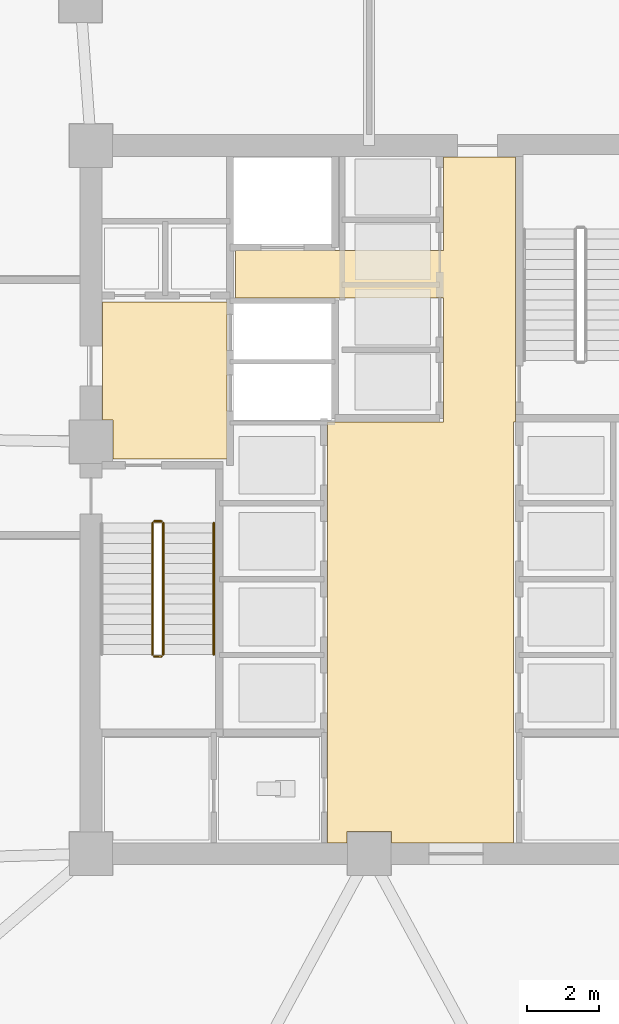
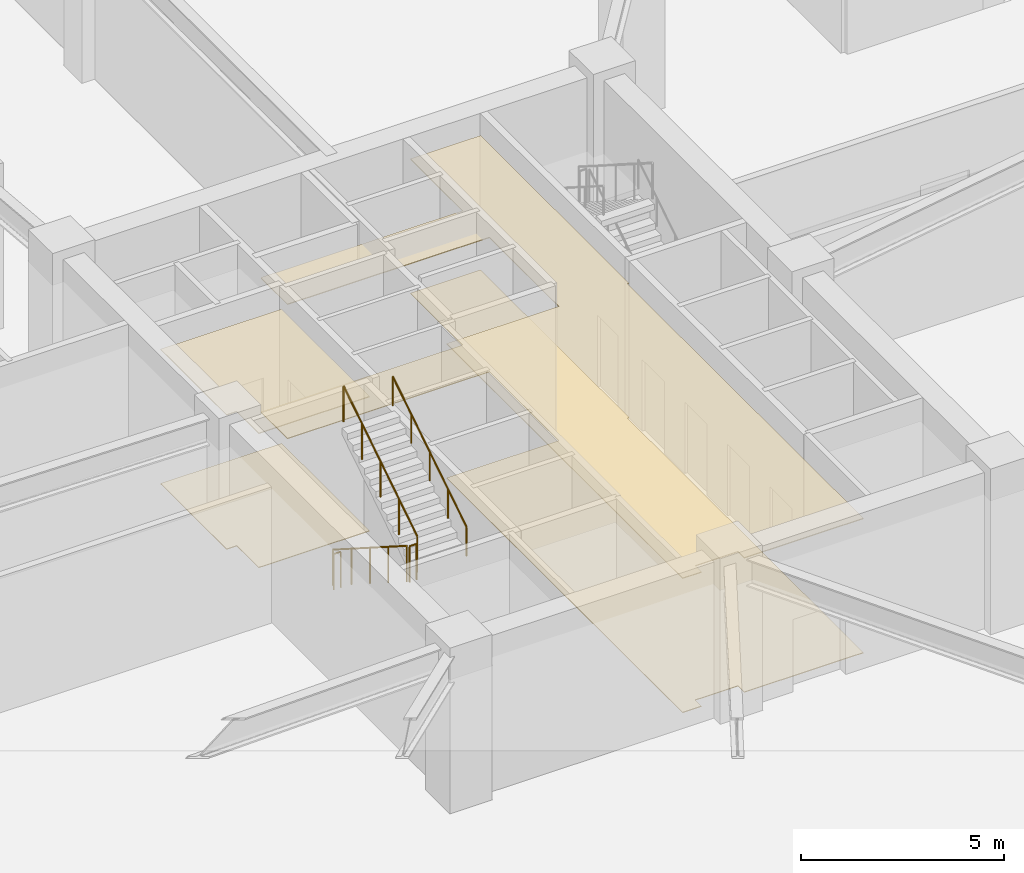
# One storey, part 15 of 22: 5 railings, 4 coverings.
"""IFC4 building model written with IfcOpenShell, lengths in metres."""

from ifc_helpers import new_model, si_unit, direction, frame, origin, origin_2d, place, context, subcontext, project, spatial, polyline, circle, outline, extrude, material, layer, layer_set, type_object, element, save


model = new_model("IFC4")

# Units and contexts
model_context = context("Model", 3, precision=1e-05, world=origin(), true_north=direction((0.0, 1.0)))
body_context = subcontext(model_context, "Body", "Model", "MODEL_VIEW")
ifc_project = project(units=[si_unit("LENGTHUNIT", "METRE"), si_unit("AREAUNIT", "SQUARE_METRE"), si_unit("VOLUMEUNIT", "CUBIC_METRE"), si_unit("PLANEANGLEUNIT", "RADIAN"), si_unit("MASSUNIT", "GRAM", prefix="KILO")], contexts=[model_context])

# Site, building, storey
site_placement = place(None, origin())
site = spatial("IfcSite", under=ifc_project, at=site_placement, CompositionType="ELEMENT")
building_placement = place(site_placement, origin())
building = spatial("IfcBuilding", under=site, at=building_placement, Name="Savorim Split Tower", CompositionType="ELEMENT")
storey_placement = place(building_placement, origin())
storey = spatial("IfcBuildingStorey", under=building, at=storey_placement, Name="L00", CompositionType="ELEMENT", Elevation=0.0)

# Coverings
ifc_material_1 = material(Name="Mineral Fibre Acoustic Ceiling")
ifc_layer_1 = layer(ifc_material_1, 0.02490234375)
ifc_layer_set_1 = layer_set([ifc_layer_1], Name="COV-CEIL-25")
covering_type_1 = type_object("IfcCoveringType", Name="COV-CEIL-25", PredefinedType="CEILING", material=ifc_layer_set_1)
covering_1_placement = place(storey_placement, frame((0.0, 0.0, 4.0400390625)))
element("IfcCovering", 1, at=covering_1_placement, inside=storey, type_object=covering_type_1, Name="L00 Firefighting Lift Lobby Acoustic Ceiling", PredefinedType="CEILING", context=body_context, shape_type="SweptSolid", body=[
    extrude(outline(polyline([(-3.929931640625, 5.8701171875), (-7.3798828125, 5.8701171875), (-7.3798828125, 2.610107421875), (-7.090087890625, 2.610107421875), (-7.090087890625, 1.530029296875), (-3.929931640625, 1.530029296875), (-3.929931640625, 5.8701171875)])), origin(), (0.0, 0.0, 1.0), 0.02490234375),
])
covering_2_placement = place(storey_placement, frame((0.0, 0.0, 4.0400390625)))
element("IfcCovering", 2, at=covering_2_placement, inside=storey, type_object=covering_type_1, Name="L00 Lift Lobby Acoustic Ceiling", PredefinedType="CEILING", context=body_context, shape_type="SweptSolid", body=[
    extrude(outline(polyline([(2.050048828125, 2.550048828125), (-1.14990234375, 2.550048828125), (-1.14990234375, -9.10009765625), (-0.610107421875, -9.10009765625), (-0.610107421875, -8.7900390625), (0.610107421875, -8.7900390625), (0.610107421875, -9.10009765625), (4.0, -9.10009765625), (4.0, 2.550048828125), (4.050048828125, 2.550048828125), (4.050048828125, 5.97998046875), (4.050048828125, 7.300048828125), (4.050048828125, 9.8798828125), (2.050048828125, 9.8798828125), (2.050048828125, 7.300048828125), (-3.699951171875, 7.300048828125), (-3.699951171875, 5.97998046875), (2.050048828125, 5.97998046875), (2.050048828125, 2.550048828125)])), origin(), (0.0, 0.0, 1.0), 0.02490234375),
])
ifc_material_2 = material(Name="Porcelain Stoneware Flooring", Category="masonry")
ifc_layer_2 = layer(ifc_material_2, 0.02001953125)
ifc_layer_set_2 = layer_set([ifc_layer_2], Name="COV-FLOR-20")
covering_type_2 = type_object("IfcCoveringType", Name="COV-FLOR-20", PredefinedType="FLOORING", material=ifc_layer_set_2)
covering_3_placement = place(storey_placement, origin())
element("IfcCovering", 3, at=covering_3_placement, inside=storey, type_object=covering_type_2, Name="L00 Firefighting Lift Lobby Porcelain Flooring", PredefinedType="FLOORING", context=body_context, shape_type="SweptSolid", body=[
    extrude(outline(polyline([(-3.929931640625, 5.8701171875), (-7.3798828125, 5.8701171875), (-7.3798828125, 2.610107421875), (-7.090087890625, 2.610107421875), (-7.090087890625, 1.530029296875), (-3.929931640625, 1.530029296875), (-3.929931640625, 5.8701171875)])), origin(), (0.0, 0.0, 1.0), 0.02001953125),
])
covering_4_placement = place(storey_placement, origin())
element("IfcCovering", 4, at=covering_4_placement, inside=storey, type_object=covering_type_2, Name="L00 Lift Lobby Porcelain Flooring", PredefinedType="FLOORING", context=body_context, shape_type="SweptSolid", body=[
    extrude(outline(polyline([(2.050048828125, 2.550048828125), (-1.14990234375, 2.550048828125), (-1.14990234375, -9.10009765625), (-0.610107421875, -9.10009765625), (-0.610107421875, -8.7900390625), (0.610107421875, -8.7900390625), (0.610107421875, -9.10009765625), (4.0, -9.10009765625), (4.0, 2.550048828125), (4.050048828125, 2.550048828125), (4.050048828125, 5.97998046875), (4.050048828125, 7.300048828125), (4.050048828125, 9.8798828125), (2.050048828125, 9.8798828125), (2.050048828125, 7.300048828125), (-3.699951171875, 7.300048828125), (-3.699951171875, 5.97998046875), (2.050048828125, 5.97998046875), (2.050048828125, 2.550048828125)])), origin(), (0.0, 0.0, 1.0), 0.02001953125),
])

# Railings
ifc_material_3 = material(Name="Galvanised Painted Steel Balustrade", Category="steel")
railing_type_1 = type_object("IfcRailingType", Name="RLG-HR-900", PredefinedType="HANDRAIL", material=ifc_material_3)
railing_1_placement = place(storey_placement, frame((-4.300048828125, -3.889892578125, 2.678466796875)))
element("IfcRailing", 5, at=railing_1_placement, inside=storey, type_object=railing_type_1, Name="L00 ST-1 stair handrail 2", PredefinedType="HANDRAIL", context=body_context, shape_type="SweptSolid", body=[
    extrude(circle(Radius=0.02392578125, at=origin_2d()), frame((0.0, 0.0, 0.8759765625), z_axis=(0.0, 0.843111507901, 0.53773877045), x_axis=(-1.0, 0.0, 0.0)), (0.0, 0.0, 1.0), 4.317138671875),
    extrude(circle(Radius=0.02099609375, at=origin_2d()), origin(), (0.0, 0.0, 1.0), 0.851806640625),
    extrude(circle(Radius=0.02099609375, at=origin_2d()), frame((0.0, 0.909912109375, 0.580322265625)), (0.0, 0.0, 1.0), 0.851806640625),
    extrude(circle(Radius=0.02099609375, at=origin_2d()), frame((0.0, 1.81982421875, 1.16064453125)), (0.0, 0.0, 1.0), 0.851806640625),
    extrude(circle(Radius=0.02099609375, at=origin_2d()), frame((0.0, 2.72998046875, 1.7412109375)), (0.0, 0.0, 1.0), 0.851806640625),
    extrude(circle(Radius=0.02099609375, at=origin_2d()), frame((0.0, 3.639892578125, 2.321533203125)), (0.0, 0.0, 1.0), 0.851806640625),
])
railing_type_2 = type_object("IfcRailingType", Name="RLG-STG-1100", PredefinedType="BALUSTRADE", material=ifc_material_3)
railing_2_placement = place(storey_placement, frame((-6.0, -0.25, 0.178466796875)))
element("IfcRailing", 6, at=railing_2_placement, inside=storey, type_object=railing_type_2, Name="L00 ST-1 stair guard 1", PredefinedType="BALUSTRADE", context=body_context, shape_type="SweptSolid", body=[
    extrude(circle(Radius=0.02392578125, at=origin_2d()), frame((0.0, 0.0, 1.076171875), z_axis=(0.0, -0.843111507901, 0.53773877045), x_axis=(1.0, 0.0, 0.0)), (0.0, 0.0, 1.0), 4.317138671875),
    extrude(circle(Radius=0.02099609375, at=origin_2d()), origin(), (0.0, 0.0, 1.0), 1.052001953125),
    extrude(circle(Radius=0.02099609375, at=origin_2d()), frame((0.0, -0.909912109375, 0.580322265625)), (0.0, 0.0, 1.0), 1.052001953125),
    extrude(circle(Radius=0.02099609375, at=origin_2d()), frame((0.0, -1.81982421875, 1.16064453125)), (0.0, 0.0, 1.0), 1.052001953125),
    extrude(circle(Radius=0.02099609375, at=origin_2d()), frame((0.0, -2.72998046875, 1.7412109375)), (0.0, 0.0, 1.0), 1.052001953125),
    extrude(circle(Radius=0.02099609375, at=origin_2d()), frame((0.0, -3.639892578125, 2.321533203125)), (0.0, 0.0, 1.0), 1.052001953125),
])
railing_3_placement = place(storey_placement, frame((-5.949951171875, -3.93994140625, 2.5)))
element("IfcRailing", 7, at=railing_3_placement, inside=storey, type_object=railing_type_2, Name="L00 ST-1 stair guard 2", PredefinedType="BALUSTRADE", context=body_context, shape_type="SweptSolid", body=[
    extrude(circle(Radius=0.02392578125, at=origin_2d()), frame((0.0, 0.0, 1.076171875), z_axis=(1.0, 0.0, 0.0), x_axis=(0.0, 1.0, 0.0)), (0.0, 0.0, 1.0), 0.199951171875),
    extrude(circle(Radius=0.02099609375, at=origin_2d()), origin(), (0.0, 0.0, 1.0), 1.052001953125),
    extrude(circle(Radius=0.02099609375, at=origin_2d()), frame((0.199951171875, 0.0, 0.0)), (0.0, 0.0, 1.0), 1.052001953125),
])
railing_4_placement = place(storey_placement, frame((-5.699951171875, -3.889892578125, 2.678466796875)))
element("IfcRailing", 8, at=railing_4_placement, inside=storey, type_object=railing_type_2, Name="L00 ST-1 stair guard 3", PredefinedType="BALUSTRADE", context=body_context, shape_type="SweptSolid", body=[
    extrude(circle(Radius=0.02392578125, at=origin_2d()), frame((0.0, 0.0, 1.076171875), z_axis=(0.0, 0.843111507901, 0.53773877045), x_axis=(-1.0, 0.0, 0.0)), (0.0, 0.0, 1.0), 4.317138671875),
    extrude(circle(Radius=0.02099609375, at=origin_2d()), origin(), (0.0, 0.0, 1.0), 1.052001953125),
    extrude(circle(Radius=0.02099609375, at=origin_2d()), frame((0.0, 0.909912109375, 0.580322265625)), (0.0, 0.0, 1.0), 1.052001953125),
    extrude(circle(Radius=0.02099609375, at=origin_2d()), frame((0.0, 1.81982421875, 1.16064453125)), (0.0, 0.0, 1.0), 1.052001953125),
    extrude(circle(Radius=0.02099609375, at=origin_2d()), frame((0.0, 2.72998046875, 1.7412109375)), (0.0, 0.0, 1.0), 1.052001953125),
    extrude(circle(Radius=0.02099609375, at=origin_2d()), frame((0.0, 3.639892578125, 2.321533203125)), (0.0, 0.0, 1.0), 1.052001953125),
])
railing_5_placement = place(storey_placement, frame((-5.949951171875, -0.199951171875, 0.0)))
element("IfcRailing", 9, at=railing_5_placement, inside=storey, type_object=railing_type_2, Name="L00 ST-1 stair guard 4", PredefinedType="BALUSTRADE", context=body_context, shape_type="SweptSolid", body=[
    extrude(circle(Radius=0.02392578125, at=origin_2d()), frame((0.0, 0.0, 1.076171875), z_axis=(1.0, 0.0, 0.0), x_axis=(0.0, 1.0, 0.0)), (0.0, 0.0, 1.0), 0.199951171875),
    extrude(circle(Radius=0.02099609375, at=origin_2d()), origin(), (0.0, 0.0, 1.0), 1.052001953125),
    extrude(circle(Radius=0.02099609375, at=origin_2d()), frame((0.199951171875, 0.0, 0.0)), (0.0, 0.0, 1.0), 1.052001953125),
])

save(model, "model.ifc")
